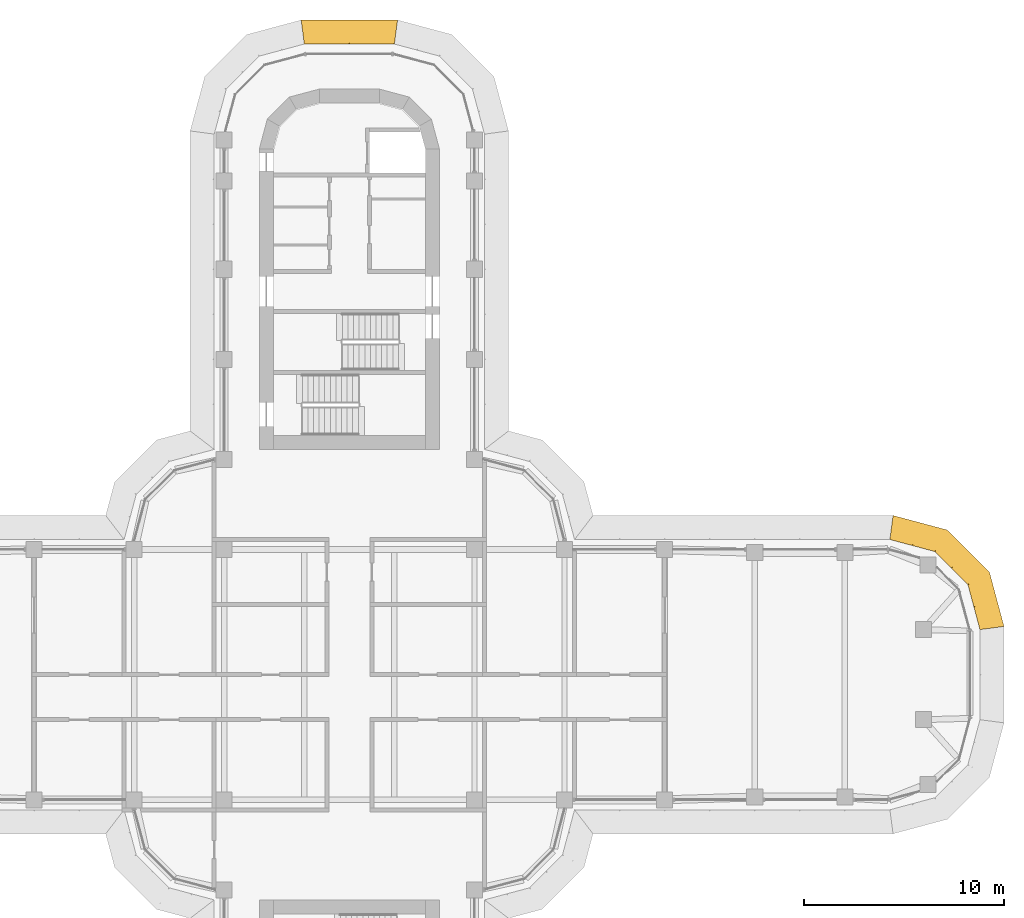
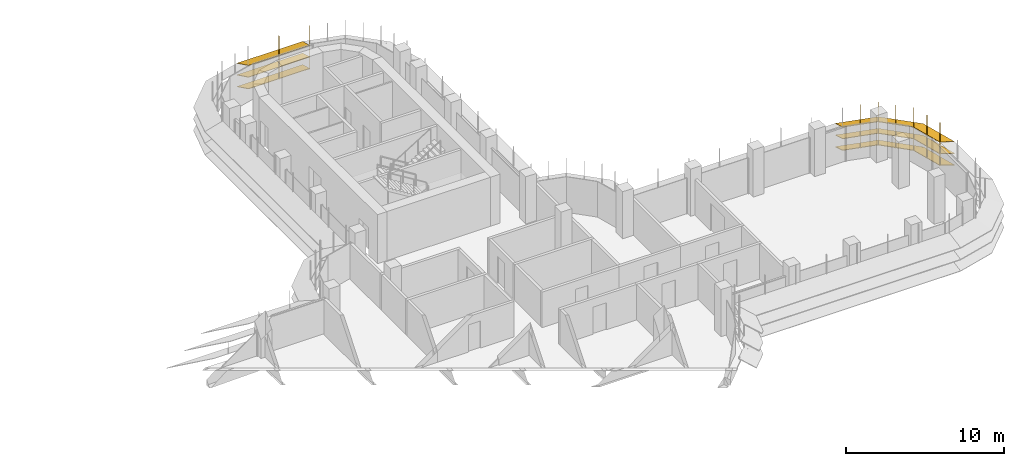
# One storey, part 19 of 19: 2 shading devices.
"""IFC4 building model written with IfcOpenShell, lengths in metres."""

from ifc_helpers import new_model, si_unit, direction, frame, origin, place, context, subcontext, project, spatial, polyline, outline, extrude, faceted_brep, source, transform, mapped, material, type_object, element, save


model = new_model("IFC4")

# Units and contexts
model_context = context("Model", 3, precision=1e-05, world=origin(), true_north=direction((0.0, 1.0)))
body_context = subcontext(model_context, "Body", "Model", "MODEL_VIEW")
ifc_project = project(units=[si_unit("LENGTHUNIT", "METRE"), si_unit("AREAUNIT", "SQUARE_METRE"), si_unit("VOLUMEUNIT", "CUBIC_METRE"), si_unit("PLANEANGLEUNIT", "RADIAN"), si_unit("MASSUNIT", "GRAM", prefix="KILO")], contexts=[model_context])

# Site, building, storey
site_placement = place(None, origin())
site = spatial("IfcSite", under=ifc_project, at=site_placement, CompositionType="ELEMENT")
building_placement = place(site_placement, origin())
building = spatial("IfcBuilding", under=site, at=building_placement, Name="Zarbagh Exchange Tower", CompositionType="ELEMENT")
storey_placement = place(building_placement, frame((0.0, 0.0, 167.60009765625)))
storey = spatial("IfcBuildingStorey", under=building, at=storey_placement, Name="L40", CompositionType="ELEMENT", Elevation=167.60009765625)

# Shading devices
ifc_material = material(Name="Anodised aluminium blades and brackets", Category="aluminium")
shading_device_type = type_object("IfcShadingDeviceType", Name="SUNSHADE louvre band, 22.5 degree blades", PredefinedType="JALOUSIE", material=ifc_material)
shared_shape_1 = source(origin(), body_context, "Body", "Brep", [
    faceted_brep([(0.0, 0.0, 0.0), (0.0, 0.0, -0.043212890625), (-0.157958984375, -1.199951171875, -0.540283203125), (-0.157958984375, -1.199951171875, -0.4970703125), (2.65087890625, -1.199951171875, -0.4970703125), (2.65087890625, -1.199951171875, -0.540283203125), (2.329345703125, 0.0, -0.043212890625), (2.329345703125, 0.0, 0.0)], [[[0, 1, 2, 3]], [[4, 5, 6, 7]], [[0, 7, 6, 1]], [[1, 6, 5, 2]], [[2, 5, 4, 3]], [[3, 4, 7, 0]]]),
])
shared_shape_2 = source(origin(), body_context, "Body", "Brep", [
    faceted_brep([(0.0, 0.0, 0.0), (0.0, 0.0, -0.043212890625), (-0.321533203125, -1.199951171875, -0.540283203125), (-0.321533203125, -1.199951171875, -0.4970703125), (2.65087890625, -1.199951171875, -0.4970703125), (2.65087890625, -1.199951171875, -0.540283203125), (2.329345703125, 0.0, -0.043212890625), (2.329345703125, 0.0, 0.0)], [[[0, 1, 2, 3]], [[4, 5, 6, 7]], [[0, 7, 6, 1]], [[1, 6, 5, 2]], [[2, 5, 4, 3]], [[3, 4, 7, 0]]]),
])
shared_shape_3 = source(origin(), body_context, "Body", "Brep", [
    faceted_brep([(0.0, 0.0, 0.0), (0.0, 0.0, -0.043212890625), (-0.321533203125, -1.199951171875, -0.540283203125), (-0.321533203125, -1.199951171875, -0.4970703125), (2.4873046875, -1.199951171875, -0.4970703125), (2.4873046875, -1.199951171875, -0.540283203125), (2.329345703125, 0.0, -0.043212890625), (2.329345703125, 0.0, 0.0)], [[[0, 1, 2, 3]], [[4, 5, 6, 7]], [[0, 7, 6, 1]], [[1, 6, 5, 2]], [[2, 5, 4, 3]], [[3, 4, 7, 0]]]),
])
shared_shape_4 = source(origin(), body_context, "Body", "SweptSolid", [
    extrude(outline(polyline([(0.0, -0.012451171875), (0.06005859375, -0.012451171875), (0.06005859375, 0.012451171875), (0.0, 0.012451171875), (0.0, -0.012451171875)])), origin(), (0.0, 0.0, 1.0), 3.353271484375),
])
placement = place(storey_placement, origin())
element("IfcShadingDevice", 1, at=placement, inside=storey, type_object=shading_device_type, Name="SS33 sunshade band", PredefinedType="JALOUSIE", context=body_context, shape_type="MappedRepresentation", body=[
    mapped(shared_shape_1, transform((31.5, 2.25, 2.2998046875), x_axis=(-0.258824779902, 0.965924289636, 0.0), y_axis=(-0.965924289636, -0.258824779902, 0.0), z_axis=(0.0, 0.0, 1.0))),
    mapped(shared_shape_1, transform((31.5, 2.25, 1.39990234375), x_axis=(-0.258824779902, 0.965924289636, 0.0), y_axis=(-0.965924289636, -0.258824779902, 0.0), z_axis=(0.0, 0.0, 1.0))),
    mapped(shared_shape_1, transform((31.5, 2.25, 0.5), x_axis=(-0.258824779902, 0.965924289636, 0.0), y_axis=(-0.965924289636, -0.258824779902, 0.0), z_axis=(0.0, 0.0, 1.0))),
    mapped(shared_shape_2, transform((30.897216796875, 4.5, 2.2998046875), x_axis=(-0.707106781187, 0.707106781187, 0.0), y_axis=(-0.707106781187, -0.707106781187, 0.0), z_axis=(0.0, 0.0, 1.0))),
    mapped(shared_shape_2, transform((30.897216796875, 4.5, 1.39990234375), x_axis=(-0.707106781187, 0.707106781187, 0.0), y_axis=(-0.707106781187, -0.707106781187, 0.0), z_axis=(0.0, 0.0, 1.0))),
    mapped(shared_shape_2, transform((30.897216796875, 4.5, 0.5), x_axis=(-0.707106781187, 0.707106781187, 0.0), y_axis=(-0.707106781187, -0.707106781187, 0.0), z_axis=(0.0, 0.0, 1.0))),
    mapped(shared_shape_3, transform((29.25, 6.147216796875, 2.2998046875), x_axis=(-0.965924289636, 0.258824779902, 0.0), y_axis=(-0.258824779902, -0.965924289636, 0.0), z_axis=(0.0, 0.0, 1.0))),
    mapped(shared_shape_3, transform((29.25, 6.147216796875, 1.39990234375), x_axis=(-0.965924289636, 0.258824779902, 0.0), y_axis=(-0.258824779902, -0.965924289636, 0.0), z_axis=(0.0, 0.0, 1.0))),
    mapped(shared_shape_3, transform((29.25, 6.147216796875, 0.5), x_axis=(-0.965924289636, 0.258824779902, 0.0), y_axis=(-0.258824779902, -0.965924289636, 0.0), z_axis=(0.0, 0.0, 1.0))),
    mapped(shared_shape_4, transform((31.5, 2.25, 0.426513671875), x_axis=(0.991444457092, 0.130529263012, 0.0), y_axis=(-0.130529263012, 0.991444457092, 0.0), z_axis=(0.0, 0.0, 1.0))),
    mapped(shared_shape_4, transform((31.198486328125, 3.375, 0.426513671875), x_axis=(0.96592421511, 0.258825058029, 0.0), y_axis=(-0.258825058029, 0.96592421511, 0.0), z_axis=(0.0, 0.0, 1.0))),
    mapped(shared_shape_4, transform((30.897216796875, 4.5, 0.426513671875), x_axis=(0.866023812018, 0.50000275701, 0.0), y_axis=(-0.50000275701, 0.866023812018, 0.0), z_axis=(0.0, 0.0, 1.0))),
    mapped(shared_shape_4, transform((30.073486328125, 5.323486328125, 0.426513671875), x_axis=(0.707106781187, 0.707106781187, 0.0), y_axis=(-0.707106781187, 0.707106781187, 0.0), z_axis=(0.0, 0.0, 1.0))),
    mapped(shared_shape_4, transform((29.25, 6.147216796875, 0.426513671875), x_axis=(0.50000275701, 0.866023812018, 0.0), y_axis=(-0.866023812018, 0.50000275701, 0.0), z_axis=(0.0, 0.0, 1.0))),
    mapped(shared_shape_4, transform((28.125, 6.448486328125, 0.426513671875), x_axis=(0.258825058029, 0.96592421511, 0.0), y_axis=(-0.96592421511, 0.258825058029, 0.0), z_axis=(0.0, 0.0, 1.0))),
])
shared_shape_5 = source(origin(), body_context, "Body", "Brep", [
    faceted_brep([(0.0, 0.0, 0.0), (0.0, 0.0, -0.043212890625), (-0.157958984375, -1.199951171875, -0.540283203125), (-0.157958984375, -1.199951171875, -0.4970703125), (4.657958984375, -1.199951171875, -0.4970703125), (4.657958984375, -1.199951171875, -0.540283203125), (4.5, 0.0, -0.043212890625), (4.5, 0.0, 0.0)], [[[0, 1, 2, 3]], [[4, 5, 6, 7]], [[0, 7, 6, 1]], [[1, 6, 5, 2]], [[2, 5, 4, 3]], [[3, 4, 7, 0]]]),
])
element("IfcShadingDevice", 2, at=placement, inside=storey, type_object=shading_device_type, Name="SS27 sunshade band", PredefinedType="JALOUSIE", context=body_context, shape_type="MappedRepresentation", body=[
    mapped(shared_shape_5, transform((2.25, 31.5, 2.2998046875), x_axis=(-1.0, 0.0, 0.0), y_axis=(0.0, -1.0, 0.0), z_axis=(0.0, 0.0, 1.0))),
    mapped(shared_shape_5, transform((2.25, 31.5, 1.39990234375), x_axis=(-1.0, 0.0, 0.0), y_axis=(0.0, -1.0, 0.0), z_axis=(0.0, 0.0, 1.0))),
    mapped(shared_shape_5, transform((2.25, 31.5, 0.5), x_axis=(-1.0, 0.0, 0.0), y_axis=(0.0, -1.0, 0.0), z_axis=(0.0, 0.0, 1.0))),
    mapped(shared_shape_4, transform((2.25, 31.5, 0.426513671875), x_axis=(0.130529263012, 0.991444457092, 0.0), y_axis=(-0.991444457092, 0.130529263012, 0.0), z_axis=(0.0, 0.0, 1.0))),
    mapped(shared_shape_4, transform((0.0, 31.5, 0.426513671875), x_axis=(0.0, 1.0, 0.0), y_axis=(-1.0, 0.0, 0.0), z_axis=(0.0, 0.0, 1.0))),
])

save(model, "model.ifc")
